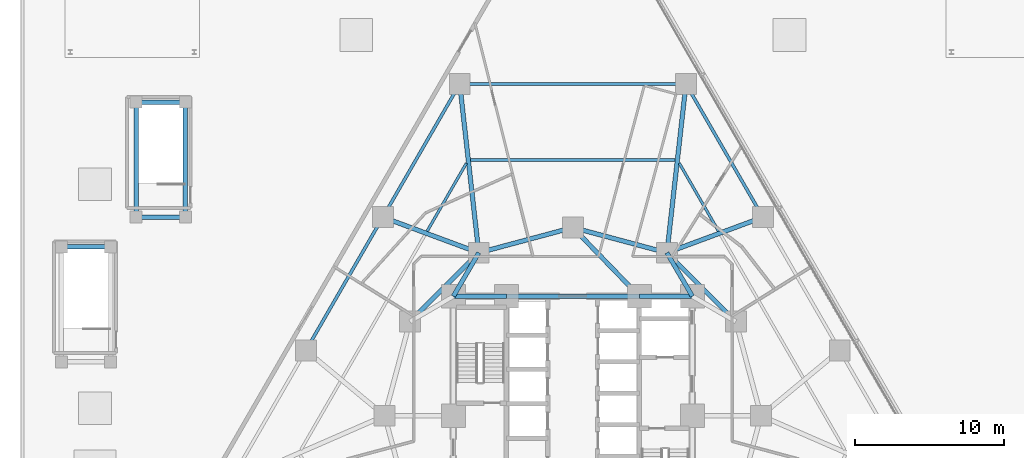
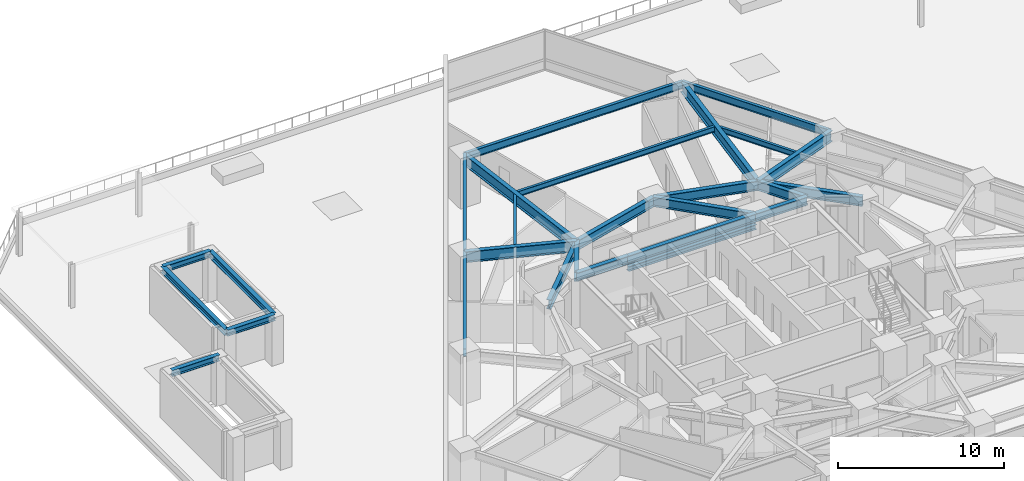
# One storey, part 11 of 23: 27 beams.
"""IFC4 building model written with IfcOpenShell, lengths in metres."""

from ifc_helpers import new_model, si_unit, direction, frame, origin, origin_2d, place, context, subcontext, project, spatial, i_section, extrude, material, material_profile, profile_set, type_object, element, save


model = new_model("IFC4")

# Units and contexts
model_context = context("Model", 3, precision=1e-05, world=origin(), true_north=direction((0.0, 1.0)))
body_context = subcontext(model_context, "Body", "Model", "MODEL_VIEW")
ifc_project = project(units=[si_unit("LENGTHUNIT", "METRE"), si_unit("AREAUNIT", "SQUARE_METRE"), si_unit("VOLUMEUNIT", "CUBIC_METRE"), si_unit("PLANEANGLEUNIT", "RADIAN"), si_unit("MASSUNIT", "GRAM", prefix="KILO")], contexts=[model_context])

# Site, building, storey
site_placement = place(None, origin())
site = spatial("IfcSite", under=ifc_project, at=site_placement, CompositionType="ELEMENT")
building_placement = place(site_placement, origin())
building = spatial("IfcBuilding", under=site, at=building_placement, Name="Terralouvre Media Tower", CompositionType="ELEMENT")
storey_placement = place(building_placement, frame((0.0, 0.0, 26.0)))
storey = spatial("IfcBuildingStorey", under=building, at=storey_placement, Name="L05", CompositionType="ELEMENT", Elevation=26.0)

# Beams
ifc_material_1 = material(Name="Structural steel S355J2", Category="steel")
ifc_material_profile_1 = material_profile(ifc_material_1, i_section(OverallWidth=0.179931640625, OverallDepth=0.39990234375, WebThickness=0.008544921875, FlangeThickness=0.013427734375, at=origin_2d()), Name="IPE 400")
ifc_profile_set_1 = profile_set([ifc_material_profile_1], Name="Structural steel S355J2")
beam_type_1 = type_object("IfcBeamType", Name="Composite Floor Joist J-IPE400 (IPE 400)", PredefinedType="JOIST", material=ifc_profile_set_1)
beam_1_placement = place(storey_placement, frame((9.758544921875, 12.351806640625, 3.300048828125), z_axis=(-0.499984733014, 0.866034218004, 0.0), x_axis=(-0.866034218004, -0.499984733014, 0.0)))
element("IfcBeam", 1, at=beam_1_placement, inside=storey, type_object=beam_type_1, Name="L05 Framing Beam JT-L05-08", PredefinedType="JOIST", context=body_context, shape_type="SweptSolid", body=[
    extrude(i_section(OverallWidth=0.179931640625, OverallDepth=0.39990234375, WebThickness=0.008544921875, FlangeThickness=0.013427734375, at=origin_2d()), origin(), (0.0, 0.0, 1.0), 5.264404296875),
])
beam_2_placement = place(storey_placement, frame((6.85107421875, 17.127685546875, 3.300048828125), z_axis=(-1.0, 0.0, 0.0), x_axis=(0.0, -1.0, 0.0)))
element("IfcBeam", 2, at=beam_2_placement, inside=storey, type_object=beam_type_1, Name="L05 Framing Beam JT-L05-09", PredefinedType="JOIST", context=body_context, shape_type="SweptSolid", body=[
    extrude(i_section(OverallWidth=0.179931640625, OverallDepth=0.39990234375, WebThickness=0.008544921875, FlangeThickness=0.013427734375, at=origin_2d()), origin(), (0.0, 0.0, 1.0), 13.7021484375),
])
beam_3_placement = place(storey_placement, frame((-7.12646484375, 16.910888671875, 3.300048828125), z_axis=(-0.499984733014, -0.866034218004, 0.0), x_axis=(0.866034218004, -0.499984733014, 0.0)))
element("IfcBeam", 3, at=beam_3_placement, inside=storey, type_object=beam_type_1, Name="L05 Framing Beam JT-L05-10", PredefinedType="JOIST", context=body_context, shape_type="SweptSolid", body=[
    extrude(i_section(OverallWidth=0.179931640625, OverallDepth=0.39990234375, WebThickness=0.008544921875, FlangeThickness=0.013427734375, at=origin_2d()), origin(), (0.0, 0.0, 1.0), 5.264404296875),
])
ifc_material_2 = material(Name="Structural steel S355J2", Category="steel")
ifc_material_profile_2 = material_profile(ifc_material_2, i_section(OverallWidth=0.300048828125, OverallDepth=0.360107421875, WebThickness=0.012451171875, FlangeThickness=0.0224609375, at=origin_2d()), Name="HEB 360")
ifc_profile_set_2 = profile_set([ifc_material_profile_2], Name="Structural steel S355J2")
beam_type_2 = type_object("IfcBeamType", Name="Opening Lintel Beam LN-360H (HEB 360)", PredefinedType="LINTEL", material=ifc_profile_set_2)
beam_4_placement = place(storey_placement, frame((-4.449951171875, 8.0, 2.530029296875), z_axis=(1.0, 0.0, 0.0), x_axis=(0.0, 1.0, 0.0)))
element("IfcBeam", 4, at=beam_4_placement, inside=storey, type_object=beam_type_2, Name="L05 Core North Portal Lintel LN-08", PredefinedType="LINTEL", context=body_context, shape_type="SweptSolid", body=[
    extrude(i_section(OverallWidth=0.300048828125, OverallDepth=0.360107421875, WebThickness=0.012451171875, FlangeThickness=0.0224609375, at=origin_2d()), origin(), (0.0, 0.0, 1.0), 8.89990234375),
])
ifc_material_3 = material(Name="Structural steel S355J2", Category="steel")
ifc_material_profile_3 = material_profile(ifc_material_3, i_section(OverallWidth=0.2099609375, OverallDepth=0.550048828125, WebThickness=0.010986328125, FlangeThickness=0.01708984375, at=origin_2d()), Name="IPE 550")
ifc_profile_set_3 = profile_set([ifc_material_profile_3], Name="Structural steel S355J2")
beam_type_3 = type_object("IfcBeamType", Name="Perimeter Spandrel Beam SPB-550 (IPE 550)", PredefinedType="SPANDREL", material=ifc_profile_set_3)
beam_5_placement = place(storey_placement, frame((12.724853515625, 13.29345703125, 3.22509765625), z_axis=(-0.499998765615, 0.866026116456, 0.0), x_axis=(-0.866026116456, -0.499998765615, 0.0)))
element("IfcBeam", 5, at=beam_5_placement, inside=storey, type_object=beam_type_3, Name="L05 Framing Beam BM-L05-PR08", PredefinedType="SPANDREL", context=body_context, shape_type="SweptSolid", body=[
    extrude(i_section(OverallWidth=0.2099609375, OverallDepth=0.550048828125, WebThickness=0.010986328125, FlangeThickness=0.01708984375, at=origin_2d()), origin(), (0.0, 0.0, 1.0), 10.2998046875),
])
beam_6_placement = place(storey_placement, frame((7.574951171875, 22.21337890625, 3.22509765625), z_axis=(-1.0, 0.0, 0.0), x_axis=(0.0, -1.0, 0.0)))
element("IfcBeam", 6, at=beam_6_placement, inside=storey, type_object=beam_type_3, Name="L05 Framing Beam BM-L05-PR09", PredefinedType="SPANDREL", context=body_context, shape_type="SweptSolid", body=[
    extrude(i_section(OverallWidth=0.2099609375, OverallDepth=0.550048828125, WebThickness=0.010986328125, FlangeThickness=0.01708984375, at=origin_2d()), origin(), (0.0, 0.0, 1.0), 15.14990234375),
])
beam_7_placement = place(storey_placement, frame((-7.574951171875, 22.21337890625, 3.22509765625), z_axis=(-0.499998765615, -0.866026116456, 0.0), x_axis=(0.866026116456, -0.499998765615, 0.0)))
element("IfcBeam", 7, at=beam_7_placement, inside=storey, type_object=beam_type_3, Name="L05 Framing Beam BM-L05-PR10", PredefinedType="SPANDREL", context=body_context, shape_type="SweptSolid", body=[
    extrude(i_section(OverallWidth=0.2099609375, OverallDepth=0.550048828125, WebThickness=0.010986328125, FlangeThickness=0.01708984375, at=origin_2d()), origin(), (0.0, 0.0, 1.0), 10.2998046875),
])
beam_8_placement = place(storey_placement, frame((-12.724853515625, 13.29345703125, 3.22509765625), z_axis=(-0.49998850195, -0.866032042085, 0.0), x_axis=(0.866032042085, -0.49998850195, 0.0)))
element("IfcBeam", 8, at=beam_8_placement, inside=storey, type_object=beam_type_3, Name="L05 Framing Beam BM-L05-PR11", PredefinedType="SPANDREL", context=body_context, shape_type="SweptSolid", body=[
    extrude(i_section(OverallWidth=0.2099609375, OverallDepth=0.550048828125, WebThickness=0.010986328125, FlangeThickness=0.01708984375, at=origin_2d()), origin(), (0.0, 0.0, 1.0), 10.300048828125),
])
ifc_material_4 = material(Name="Structural steel S355J2", Category="steel")
ifc_material_profile_4 = material_profile(ifc_material_4, i_section(OverallWidth=0.300048828125, OverallDepth=0.449951171875, WebThickness=0.013916015625, FlangeThickness=0.02587890625, at=origin_2d()), Name="HEB 450")
ifc_profile_set_4 = profile_set([ifc_material_profile_4], Name="Structural steel S355J2")
beam_type_4 = type_object("IfcBeamType", Name="Primary Floor Girder B-HEB450 (HEB 450)", PredefinedType="BEAM", material=ifc_profile_set_4)
for number, where, z_axis, x_axis, name in (
    (9, (-30.949951171875, 11.300048828125, 3.294921875), (-1.0, 0.0, 0.0), (0.0, -1.0, 0.0), "L05 Framing Beam BM-L05-PVST33"),
    (10, (-29.25, 13.300048828125, 3.294921875), (1.0, 0.0, 0.0), (0.0, 1.0, 0.0), "L05 Framing Beam BM-L05-PVST61"),
):
    element("IfcBeam", number, at=place(storey_placement, frame(where, z_axis=z_axis, x_axis=x_axis)), inside=storey, type_object=beam_type_4, Name=name, PredefinedType="BEAM", context=body_context, shape_type="SweptSolid", body=[
        extrude(i_section(OverallWidth=0.300048828125, OverallDepth=0.449951171875, WebThickness=0.013916015625, FlangeThickness=0.02587890625, at=origin_2d()), origin(), (0.0, 0.0, 1.0), 3.300048828125),
    ])
beam_9_placement = place(storey_placement, frame((-25.949951171875, 13.300048828125, 3.294921875), z_axis=(0.0, 1.0, 0.0), x_axis=(-1.0, 0.0, 0.0)))
element("IfcBeam", 11, at=beam_9_placement, inside=storey, type_object=beam_type_4, Name="L05 Framing Beam BM-L05-PVST62", PredefinedType="BEAM", context=body_context, shape_type="SweptSolid", body=[
    extrude(i_section(OverallWidth=0.300048828125, OverallDepth=0.449951171875, WebThickness=0.013916015625, FlangeThickness=0.02587890625, at=origin_2d()), origin(), (0.0, 0.0, 1.0), 7.699951171875),
])
beam_10_placement = place(storey_placement, frame((-25.949951171875, 21.0, 3.294921875), z_axis=(-1.0, 0.0, 0.0), x_axis=(0.0, -1.0, 0.0)))
element("IfcBeam", 12, at=beam_10_placement, inside=storey, type_object=beam_type_4, Name="L05 Framing Beam BM-L05-PVST63", PredefinedType="BEAM", context=body_context, shape_type="SweptSolid", body=[
    extrude(i_section(OverallWidth=0.300048828125, OverallDepth=0.449951171875, WebThickness=0.013916015625, FlangeThickness=0.02587890625, at=origin_2d()), origin(), (0.0, 0.0, 1.0), 3.300048828125),
])
beam_11_placement = place(storey_placement, frame((-29.25, 21.0, 3.294921875), z_axis=(0.0, -1.0, 0.0), x_axis=(1.0, 0.0, 0.0)))
element("IfcBeam", 13, at=beam_11_placement, inside=storey, type_object=beam_type_4, Name="L05 Framing Beam BM-L05-PVST64", PredefinedType="BEAM", context=body_context, shape_type="SweptSolid", body=[
    extrude(i_section(OverallWidth=0.300048828125, OverallDepth=0.449951171875, WebThickness=0.013916015625, FlangeThickness=0.02587890625, at=origin_2d()), origin(), (0.0, 0.0, 1.0), 7.699951171875),
])
ifc_material_5 = material(Name="Structural steel S460M", Category="steel")
ifc_material_profile_5 = material_profile(ifc_material_5, i_section(OverallWidth=0.300048828125, OverallDepth=0.60009765625, WebThickness=0.015380859375, FlangeThickness=0.030029296875, at=origin_2d()), Name="HEB 600")
ifc_profile_set_5 = profile_set([ifc_material_profile_5], Name="Structural steel S460M")
beam_type_5 = type_object("IfcBeamType", Name="Primary Floor Girder B-HEB600 (HEB 600)", PredefinedType="BEAM", material=ifc_profile_set_5)
beam_12_placement = place(storey_placement, frame((8.0, 8.0, 3.199951171875), z_axis=(-1.0, 0.0, 0.0), x_axis=(0.0, -1.0, 0.0)))
element("IfcBeam", 14, at=beam_12_placement, inside=storey, type_object=beam_type_5, Name="L05 Framing Beam BM-L05-CPR06", PredefinedType="BEAM", context=body_context, shape_type="SweptSolid", body=[
    extrude(i_section(OverallWidth=0.300048828125, OverallDepth=0.60009765625, WebThickness=0.015380859375, FlangeThickness=0.030029296875, at=origin_2d()), origin(), (0.0, 0.0, 1.0), 3.550048828125),
])
beam_13_placement = place(storey_placement, frame((4.449951171875, 8.0, 3.199951171875), z_axis=(-1.0, 0.0, 0.0), x_axis=(0.0, -1.0, 0.0)))
element("IfcBeam", 15, at=beam_13_placement, inside=storey, type_object=beam_type_5, Name="L05 Framing Beam BM-L05-CPR07", PredefinedType="BEAM", context=body_context, shape_type="SweptSolid", body=[
    extrude(i_section(OverallWidth=0.300048828125, OverallDepth=0.60009765625, WebThickness=0.015380859375, FlangeThickness=0.030029296875, at=origin_2d()), origin(), (0.0, 0.0, 1.0), 8.89990234375),
])
beam_14_placement = place(storey_placement, frame((-4.449951171875, 8.0, 3.199951171875), z_axis=(-1.0, 0.0, 0.0), x_axis=(0.0, -1.0, 0.0)))
element("IfcBeam", 16, at=beam_14_placement, inside=storey, type_object=beam_type_5, Name="L05 Framing Beam BM-L05-CPR08", PredefinedType="BEAM", context=body_context, shape_type="SweptSolid", body=[
    extrude(i_section(OverallWidth=0.300048828125, OverallDepth=0.60009765625, WebThickness=0.015380859375, FlangeThickness=0.030029296875, at=origin_2d()), origin(), (0.0, 0.0, 1.0), 3.550048828125),
])
ifc_material_6 = material(Name="Structural steel S460M", Category="steel")
ifc_material_profile_6 = material_profile(ifc_material_6, i_section(OverallWidth=0.300048828125, OverallDepth=0.699951171875, WebThickness=0.01708984375, FlangeThickness=0.031982421875, at=origin_2d()), Name="HEB 700")
ifc_profile_set_6 = profile_set([ifc_material_profile_6], Name="Structural steel S460M")
beam_type_6 = type_object("IfcBeamType", Name="Primary Floor Girder B-HEB700 (HEB 700)", PredefinedType="BEAM", material=ifc_profile_set_6)
beam_15_placement = place(storey_placement, frame((10.911865234375, 6.300048828125, 3.14990234375), z_axis=(-0.707106781187, 0.707106781187, 0.0), x_axis=(-0.707106781187, -0.707106781187, 0.0)))
element("IfcBeam", 17, at=beam_15_placement, inside=storey, type_object=beam_type_6, Name="L05 Framing Beam BM-L05-MR07", PredefinedType="BEAM", context=body_context, shape_type="SweptSolid", body=[
    extrude(i_section(OverallWidth=0.300048828125, OverallDepth=0.699951171875, WebThickness=0.01708984375, FlangeThickness=0.031982421875, at=origin_2d()), origin(), (0.0, 0.0, 1.0), 6.52197265625),
])
for number, where, z_axis, x_axis, name in (
    (18, (6.300048828125, 10.911865234375, 3.14990234375), (-0.965920481897, 0.258838989821, 0.0), (-0.258838989821, -0.965920481897, 0.0), "L05 Framing Beam BM-L05-MR08"),
    (19, (0.0, 12.60009765625, 3.14990234375), (-0.965920481897, -0.258838989821, 0.0), (0.258838989821, -0.965920481897, 0.0), "L05 Framing Beam BM-L05-MR09"),
):
    element("IfcBeam", number, at=place(storey_placement, frame(where, z_axis=z_axis, x_axis=x_axis)), inside=storey, type_object=beam_type_6, Name=name, PredefinedType="BEAM", context=body_context, shape_type="SweptSolid", body=[
        extrude(i_section(OverallWidth=0.300048828125, OverallDepth=0.699951171875, WebThickness=0.01708984375, FlangeThickness=0.031982421875, at=origin_2d()), origin(), (0.0, 0.0, 1.0), 6.522216796875),
    ])
beam_16_placement = place(storey_placement, frame((-6.300048828125, 10.911865234375, 3.14990234375), z_axis=(-0.707106781187, -0.707106781187, 0.0), x_axis=(0.707106781187, -0.707106781187, 0.0)))
element("IfcBeam", 20, at=beam_16_placement, inside=storey, type_object=beam_type_6, Name="L05 Framing Beam BM-L05-MR10", PredefinedType="BEAM", context=body_context, shape_type="SweptSolid", body=[
    extrude(i_section(OverallWidth=0.300048828125, OverallDepth=0.699951171875, WebThickness=0.01708984375, FlangeThickness=0.031982421875, at=origin_2d()), origin(), (0.0, 0.0, 1.0), 6.52197265625),
])
beam_17_placement = place(storey_placement, frame((8.0, 8.0, 3.14990234375), z_axis=(-0.504172629717, 0.863602894532, 0.0), x_axis=(-0.863602894532, -0.504172629717, 0.0)))
element("IfcBeam", 21, at=beam_17_placement, inside=storey, type_object=beam_type_6, Name="L05 Framing Beam BM-L05-CM08", PredefinedType="BEAM", context=body_context, shape_type="SweptSolid", body=[
    extrude(i_section(OverallWidth=0.300048828125, OverallDepth=0.699951171875, WebThickness=0.01708984375, FlangeThickness=0.031982421875, at=origin_2d()), origin(), (0.0, 0.0, 1.0), 3.371826171875),
])
beam_18_placement = place(storey_placement, frame((4.449951171875, 8.0, 3.14990234375), z_axis=(-0.695279715726, 0.718739255155, 0.0), x_axis=(-0.718739255155, -0.695279715726, 0.0)))
element("IfcBeam", 22, at=beam_18_placement, inside=storey, type_object=beam_type_6, Name="L05 Framing Beam BM-L05-CM09", PredefinedType="BEAM", context=body_context, shape_type="SweptSolid", body=[
    extrude(i_section(OverallWidth=0.300048828125, OverallDepth=0.699951171875, WebThickness=0.01708984375, FlangeThickness=0.031982421875, at=origin_2d()), origin(), (0.0, 0.0, 1.0), 6.400146484375),
])
beam_19_placement = place(storey_placement, frame((-8.0, 8.0, 3.14990234375), z_axis=(0.504172629717, 0.863602894532, 0.0), x_axis=(-0.863602894532, 0.504172629717, 0.0)))
element("IfcBeam", 23, at=beam_19_placement, inside=storey, type_object=beam_type_6, Name="L05 Framing Beam BM-L05-CM10", PredefinedType="BEAM", context=body_context, shape_type="SweptSolid", body=[
    extrude(i_section(OverallWidth=0.300048828125, OverallDepth=0.699951171875, WebThickness=0.01708984375, FlangeThickness=0.031982421875, at=origin_2d()), origin(), (0.0, 0.0, 1.0), 3.371826171875),
])
ifc_material_7 = material(Name="Structural steel S460M", Category="steel")
ifc_material_profile_7 = material_profile(ifc_material_7, i_section(OverallWidth=0.300048828125, OverallDepth=0.800048828125, WebThickness=0.017578125, FlangeThickness=0.032958984375, at=origin_2d()), Name="HEB 800")
ifc_profile_set_7 = profile_set([ifc_material_profile_7], Name="Structural steel S460M")
beam_type_7 = type_object("IfcBeamType", Name="Primary Floor Girder B-HEB800 (HEB 800)", PredefinedType="BEAM", material=ifc_profile_set_7)
beam_20_placement = place(storey_placement, frame((6.300048828125, 10.911865234375, 3.10009765625), z_axis=(0.937652019179, 0.347575446386, 0.0), x_axis=(-0.347575446386, 0.937652019179, 0.0)))
element("IfcBeam", 24, at=beam_20_placement, inside=storey, type_object=beam_type_7, Name="L05 Framing Beam BM-L05-RD08", PredefinedType="BEAM", context=body_context, shape_type="SweptSolid", body=[
    extrude(i_section(OverallWidth=0.300048828125, OverallDepth=0.800048828125, WebThickness=0.017578125, FlangeThickness=0.032958984375, at=origin_2d()), origin(), (0.0, 0.0, 1.0), 6.85205078125),
])
for number, where, z_axis, x_axis, name in (
    (25, (6.300048828125, 10.911865234375, 3.10009765625), (0.112097104782, 0.993697257267, 0.0), (-0.993697257267, 0.112097104782, 0.0), "L05 Framing Beam BM-L05-RD09"),
    (26, (-6.300048828125, 10.911865234375, 3.10009765625), (-0.112097104782, 0.993697257267, 0.0), (-0.993697257267, -0.112097104782, 0.0), "L05 Framing Beam BM-L05-RD10"),
):
    element("IfcBeam", number, at=place(storey_placement, frame(where, z_axis=z_axis, x_axis=x_axis)), inside=storey, type_object=beam_type_7, Name=name, PredefinedType="BEAM", context=body_context, shape_type="SweptSolid", body=[
        extrude(i_section(OverallWidth=0.300048828125, OverallDepth=0.800048828125, WebThickness=0.017578125, FlangeThickness=0.032958984375, at=origin_2d()), origin(), (0.0, 0.0, 1.0), 11.373291015625),
    ])
beam_21_placement = place(storey_placement, frame((-6.300048828125, 10.911865234375, 3.10009765625), z_axis=(-0.937652019179, 0.347575446386, 0.0), x_axis=(-0.347575446386, -0.937652019179, 0.0)))
element("IfcBeam", 27, at=beam_21_placement, inside=storey, type_object=beam_type_7, Name="L05 Framing Beam BM-L05-RD11", PredefinedType="BEAM", context=body_context, shape_type="SweptSolid", body=[
    extrude(i_section(OverallWidth=0.300048828125, OverallDepth=0.800048828125, WebThickness=0.017578125, FlangeThickness=0.032958984375, at=origin_2d()), origin(), (0.0, 0.0, 1.0), 6.85205078125),
])

save(model, "model.ifc")
